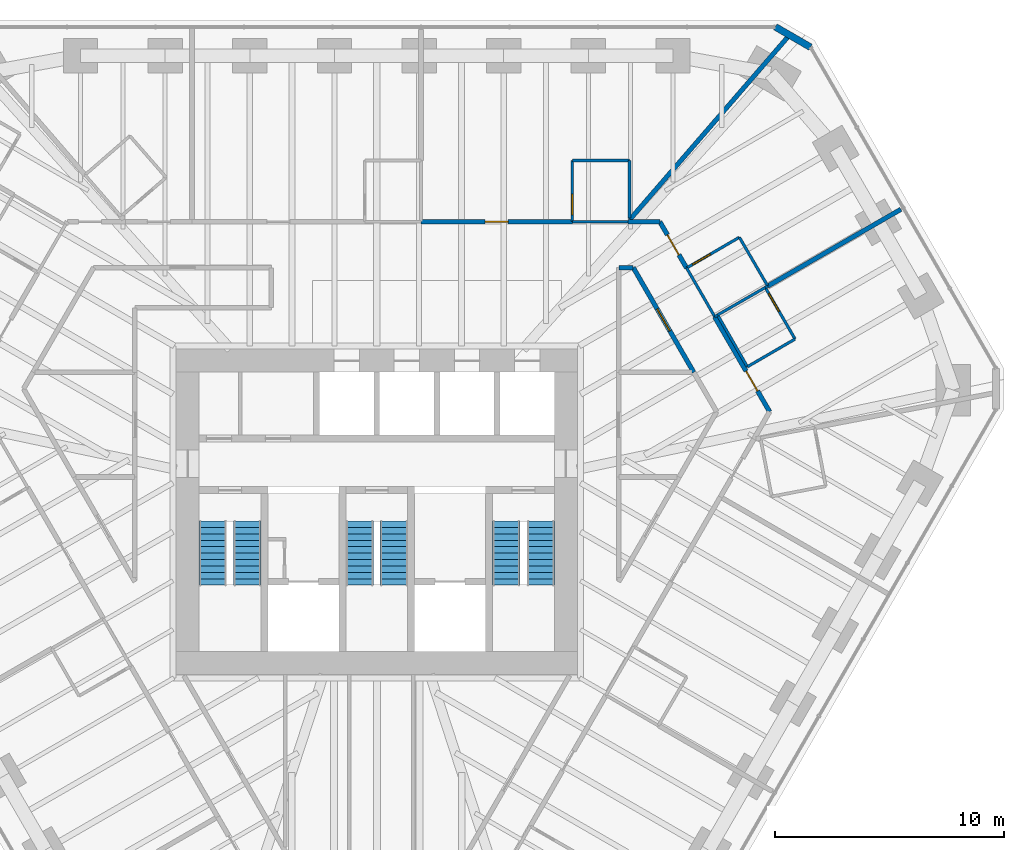
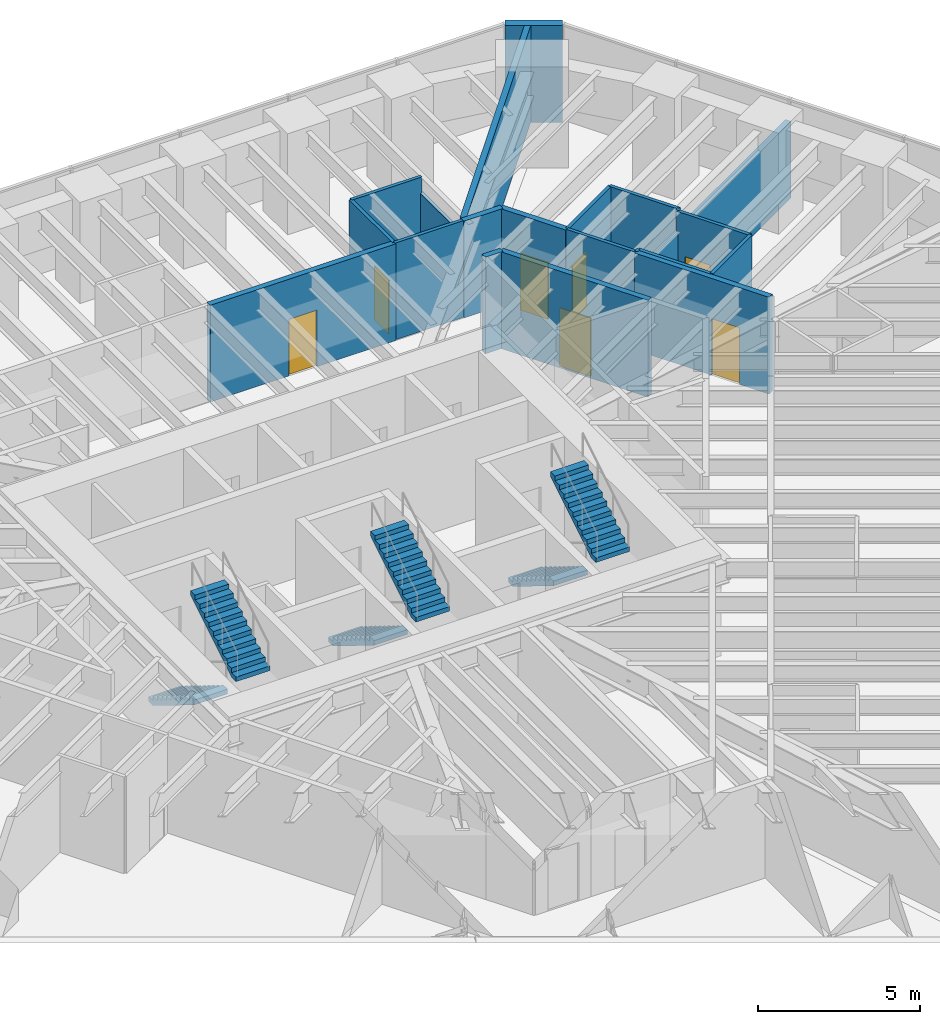
# One storey, part 15 of 16: 22 walls, 7 doors, 6 stair flights, 7 openings, 3 elements without a shape of their own.
"""IFC4 building model written with IfcOpenShell, lengths in metres."""

import ifcopenshell
import ifcopenshell.guid

model = None  # the IFC model being written
_history = None  # IfcOwnerHistory: only IFC2X3 demands one
_inside = {}  # id of a spatial element -> (the spatial element, [elements in it])
_under = {}  # id of a project, library or spatial element -> (it, [spatial elements below it])
_declared = {}  # id of a project -> (the project, [libraries it declares])
_typed = {}  # id of a type object -> (the type object, [elements of that type])
_made_of = {}  # id of a material, layer set ... -> (it, [elements and type objects made of it])


def new_model(schema):
    """Start an empty IFC model of exactly this schema.

    Asked for "IFC4X3", IfcOpenShell would pick the latest addendum, in which some entities
    have other attributes; the version numbers below select the first issue.
    IFC2X3 requires an IfcOwnerHistory on every rooted entity: one is made here for all.
    """
    global model, _history
    if schema == "IFC4X3":
        model = ifcopenshell.file(schema_version=(4, 3, 0, 0))
    else:
        model = ifcopenshell.file(schema=schema)
    _inside.clear()
    _under.clear()
    _declared.clear()
    _typed.clear()
    _made_of.clear()
    _history = None
    if model.schema == "IFC2X3":
        org = make("IfcOrganization", Name="unknown")
        user = make(
            "IfcPersonAndOrganization",
            ThePerson=make("IfcPerson", FamilyName="unknown"),
            TheOrganization=org,
        )
        app = make(
            "IfcApplication",
            ApplicationDeveloper=org,
            Version="unknown",
            ApplicationFullName="unknown",
            ApplicationIdentifier="unknown",
        )
        _history = make(
            "IfcOwnerHistory",
            OwningUser=user,
            OwningApplication=app,
            ChangeAction="ADDED",
            CreationDate=0,
        )
    return model


def make(cls, **values):
    """One entity of the class cls with the attributes given. An attribute that is None is left unset."""
    return model.create_entity(
        cls, **{name: value for name, value in values.items() if value is not None}
    )


def rooted(cls, **values):
    """An entity with a GlobalId (a new one), such as an element, a storey or a relation."""
    return make(cls, GlobalId=ifcopenshell.guid.new(), OwnerHistory=_history, **values)


def si_unit(unit_type, name, prefix=None):
    """IfcSIUnit, for example si_unit("LENGTHUNIT", "METRE", prefix="MILLI")."""
    return make("IfcSIUnit", UnitType=unit_type, Prefix=prefix, Name=name)


def assignment(units):
    """IfcUnitAssignment: the units of a project."""
    return None if units is None else make("IfcUnitAssignment", Units=units)


def point(xyz):
    """IfcCartesianPoint."""
    return None if xyz is None else make("IfcCartesianPoint", Coordinates=xyz)


def direction(xyz):
    """IfcDirection."""
    return None if xyz is None else make("IfcDirection", DirectionRatios=xyz)


def frame(location, z_axis=None, x_axis=None):
    """IfcAxis2Placement3D, a coordinate frame: its origin and axes. An axis left out is left unset."""
    return make(
        "IfcAxis2Placement3D",
        Location=point(location),
        Axis=direction(z_axis),
        RefDirection=direction(x_axis),
    )


def frame_2d(location, x_axis=None):
    """IfcAxis2Placement2D, a coordinate frame in the plane: its origin and x axis."""
    return make(
        "IfcAxis2Placement2D", Location=point(location), RefDirection=direction(x_axis)
    )


def origin():
    """The frame at (0, 0, 0) with its axes left unset."""
    return frame((0.0, 0.0, 0.0))


def place(relative_to, where):
    """IfcLocalPlacement: puts the frame where relative to a parent placement (None: the world)."""
    return make(
        "IfcLocalPlacement", PlacementRelTo=relative_to, RelativePlacement=where
    )


def context(
    kind, dimensions, precision=None, world=None, true_north=None, identifier=None
):
    """IfcGeometricRepresentationContext, for example the 3D "Model" context."""
    return make(
        "IfcGeometricRepresentationContext",
        ContextIdentifier=identifier,
        ContextType=kind,
        CoordinateSpaceDimension=dimensions,
        Precision=precision,
        WorldCoordinateSystem=world,
        TrueNorth=true_north,
    )


def subcontext(parent, identifier, kind, view, scale=None):
    """IfcGeometricRepresentationSubContext, for example "Body" below "Model"."""
    return make(
        "IfcGeometricRepresentationSubContext",
        ContextIdentifier=identifier,
        ContextType=kind,
        ParentContext=parent,
        TargetScale=scale,
        TargetView=view,
    )


def project(units=None, contexts=None):
    """IfcProject with its units and contexts."""
    return rooted(
        "IfcProject",
        Name="project",
        RepresentationContexts=contexts,
        UnitsInContext=assignment(units),
    )


def spatial(cls, under=None, at=None, **own):
    """A site, building, storey or space (cls), placed at a placement, below another one or the project."""
    s = rooted(cls, ObjectPlacement=at, **own)
    if under is not None:
        _under.setdefault(under.id(), (under, []))[1].append(s)
    return s


def polyline(points):
    """IfcPolyline through the points."""
    return make("IfcPolyline", Points=[point(p) for p in points])


def profile(cls, at=None, kind="AREA", **sizes):
    """A parametric profile (cls). Its sizes go by their IFC names, for example OverallWidth=200.0."""
    return make(cls, ProfileType=kind, Position=at, **sizes)


def rectangle(**sizes):
    """IfcRectangleProfileDef."""
    return profile("IfcRectangleProfileDef", **sizes)


def outline(outer, holes=None, kind="AREA"):
    """IfcArbitraryClosedProfileDef: a profile drawn as a closed curve; with holes, ...WithVoids."""
    if holes is None:
        return make("IfcArbitraryClosedProfileDef", ProfileType=kind, OuterCurve=outer)
    return make(
        "IfcArbitraryProfileDefWithVoids",
        ProfileType=kind,
        OuterCurve=outer,
        InnerCurves=holes,
    )


def extrude(swept, where, along, depth):
    """IfcExtrudedAreaSolid: the profile swept, set in the frame where, extruded along a direction by depth."""
    return make(
        "IfcExtrudedAreaSolid",
        SweptArea=swept,
        Position=where,
        ExtrudedDirection=direction(along),
        Depth=depth,
    )


def shape(context_of_items, identifier, shape_type, items):
    """IfcShapeRepresentation: the items that make up one representation, for example the "Body"."""
    return make(
        "IfcShapeRepresentation",
        ContextOfItems=context_of_items,
        RepresentationIdentifier=identifier,
        RepresentationType=shape_type,
        Items=items,
    )


def material(Name=None, Category=None):
    """IfcMaterial."""
    return make("IfcMaterial", Name=Name, Category=Category)


def layer(
    of_material, thickness, ventilated=None, Name=None, Category=None, Priority=None
):
    """IfcMaterialLayer: one layer of a wall or slab, of a material (None: an air gap)."""
    return make(
        "IfcMaterialLayer",
        Material=of_material,
        LayerThickness=thickness,
        IsVentilated=ventilated,
        Name=Name,
        Category=Category,
        Priority=Priority,
    )


def layer_set(layers, Name=None):
    """IfcMaterialLayerSet."""
    return make("IfcMaterialLayerSet", MaterialLayers=layers, LayerSetName=Name)


def made_of(thing, what):
    """Note that an element or type object is made of a material, layer set ...; save() writes the relation."""
    if what is not None:
        _made_of.setdefault(what.id(), (what, []))[1].append(thing)
    return thing


def type_object(cls, material=None, **own):
    """A type object (cls), such as IfcWallType, which elements share."""
    return made_of(rooted(cls, **own), material)


def element(
    cls,
    number,
    at=None,
    inside=None,
    cuts=None,
    type_object=None,
    material=None,
    context=None,
    identifier="Body",
    shape_type=None,
    held_by="IfcProductDefinitionShape",
    body=None,
    shapes=None,
    **own,
):
    """One element of the class cls, such as IfcWall. Its Tag is "e" and its number.

    at: its placement. inside: the storey or other place that contains it. cuts: it is an
    opening in that element (IfcRelVoidsElement). A single representation is given by context,
    identifier, shape_type and body (its items); several are given by shapes. held_by: the class
    of the entity that holds the representations. save() writes the other relations.
    """
    e = rooted(cls, Tag="e%d" % number, ObjectPlacement=at, **own)
    if body is not None:
        shapes = [shape(context, identifier, shape_type, body)]
    if shapes is not None:
        e.Representation = make(held_by, Representations=shapes)
    if inside is not None:
        _inside.setdefault(inside.id(), (inside, []))[1].append(e)
    if cuts is not None:
        rooted(
            "IfcRelVoidsElement", RelatingBuildingElement=cuts, RelatedOpeningElement=e
        )
    if type_object is not None:
        _typed.setdefault(type_object.id(), (type_object, []))[1].append(e)
    return made_of(e, material)


def fill(opening, filler):
    """IfcRelFillsElement: the door or window that sits in an opening."""
    return rooted(
        "IfcRelFillsElement",
        RelatingOpeningElement=opening,
        RelatedBuildingElement=filler,
    )


def aggregate(whole, parts):
    """IfcRelAggregates: a whole, such as a stair, and the parts it consists of."""
    return rooted("IfcRelAggregates", RelatingObject=whole, RelatedObjects=parts)


def save(model, path):
    """Write the relations noted so far, then the file.

    IfcRelAggregates (storeys below a building ...), IfcRelContainedInSpatialStructure (elements
    in a storey), IfcRelDefinesByType, IfcRelAssociatesMaterial and IfcRelDeclares: one each for
    every whole, place, type object, material and project.
    """
    for whole, parts in _under.values():
        aggregate(whole, parts)
    for where, things in _inside.values():
        rooted(
            "IfcRelContainedInSpatialStructure",
            RelatedElements=things,
            RelatingStructure=where,
        )
    for kind, things in _typed.values():
        rooted("IfcRelDefinesByType", RelatedObjects=things, RelatingType=kind)
    for what, things in _made_of.values():
        rooted("IfcRelAssociatesMaterial", RelatedObjects=things, RelatingMaterial=what)
    for by, libraries in _declared.values():
        rooted("IfcRelDeclares", RelatingContext=by, RelatedDefinitions=libraries)
    model.write(path)


model = new_model("IFC4")

# Units and contexts
model_context = context("Model", 3, precision=1e-05, world=origin(), true_north=direction((0.0, 1.0)))
body_context = subcontext(model_context, "Body", "Model", "MODEL_VIEW")
ifc_project = project(units=[si_unit("LENGTHUNIT", "METRE"), si_unit("AREAUNIT", "SQUARE_METRE"), si_unit("VOLUMEUNIT", "CUBIC_METRE"), si_unit("PLANEANGLEUNIT", "RADIAN"), si_unit("MASSUNIT", "GRAM", prefix="KILO")], contexts=[model_context])

# Site, building, storey
site_placement = place(None, origin())
site = spatial("IfcSite", under=ifc_project, at=site_placement, CompositionType="ELEMENT")
building_placement = place(site_placement, origin())
building = spatial("IfcBuilding", under=site, at=building_placement, Name="Sandreach Pilgrim Tower", CompositionType="ELEMENT")
storey_placement = place(building_placement, frame((0.0, 0.0, 202.199951171875)))
storey = spatial("IfcBuildingStorey", under=building, at=storey_placement, Name="L50", CompositionType="ELEMENT", Elevation=202.199951171875)

# Wall, opening, door
ifc_material_1 = material(Name="Moisture-resistant gypsum board on steel studs", Category="steel")
ifc_layer_1 = layer(ifc_material_1, 0.1201171875)
ifc_layer_set_1 = layer_set([ifc_layer_1], Name="Bathroom partition 120")
wall_type_1 = type_object("IfcWallType", Name="Bathroom partition 120", PredefinedType="PARTITIONING", material=ifc_layer_set_1)
wall_1_placement = place(storey_placement, frame((8.530029296875, 15.330078125, 0.0), z_axis=(0.0, 0.0, 1.0), x_axis=(0.0, -1.0, 0.0)))
wall_1 = element("IfcWall", 1, at=wall_1_placement, inside=storey, type_object=wall_type_1, Name="Bathroom partition L50-104", PredefinedType="PARTITIONING", context=body_context, shape_type="SweptSolid", body=[
    extrude(rectangle(XDim=2.670166015625, YDim=0.1201171875, at=frame_2d((1.3349609375, 0.0))), origin(), (0.0, 0.0, 1.0), 3.64013671875),
])
opening_1_placement = place(wall_1_placement, frame((1.469970703125, 0.0, 0.0)))
opening_1 = element("IfcOpeningElement", 2, at=opening_1_placement, cuts=wall_1, Name="Opening D09-03B", PredefinedType="OPENING", context=body_context, shape_type="SweptSolid", body=[
    extrude(rectangle(XDim=0.89990234375, YDim=2.030029296875, at=frame_2d((0.449951171875, 1.01513671875))), frame((0.0, 0.06005859375, 0.0), z_axis=(0.0, -1.0, 0.0), x_axis=(1.0, 0.0, 0.0)), (0.0, 0.0, 1.0), 0.1201171875),
])
ifc_material_2 = material(Name="Timber door, steel frame", Category="steel")
door_type_1 = type_object("IfcDoorType", Name="Bathroom door", OperationType="SINGLE_SWING_LEFT", PredefinedType="DOOR", material=ifc_material_2)
door_1_placement = place(opening_1_placement, origin())
door_1 = element("IfcDoor", 3, at=door_1_placement, inside=storey, type_object=door_type_1, Name="Door 5003B", OperationType="SINGLE_SWING_RIGHT", OverallHeight=2.030029296875, OverallWidth=0.89990234375, PredefinedType="DOOR", context=body_context, shape_type="SweptSolid", body=[
    extrude(rectangle(XDim=0.89990234375, YDim=2.030029296875, at=frame_2d((0.449951171875, 1.01513671875))), frame((0.0, 0.02490234375, 0.0), z_axis=(0.0, -1.0, 0.0), x_axis=(1.0, 0.0, 0.0)), (0.0, 0.0, 1.0), 0.050048828125),
])
fill(opening_1, door_1)

# Walls
wall_2_placement = place(storey_placement, frame((10.9599609375, 12.659912109375, 0.0), z_axis=(0.0, 0.0, 1.0), x_axis=(-1.0, 0.0, 0.0)))
element("IfcWall", 4, at=wall_2_placement, inside=storey, type_object=wall_type_1, Name="Bathroom partition L50-112", PredefinedType="PARTITIONING", context=body_context, shape_type="SweptSolid", body=[
    extrude(rectangle(XDim=2.429931640625, YDim=0.1201171875, at=frame_2d((1.21484375, 0.0))), origin(), (0.0, 0.0, 1.0), 3.64013671875),
])
wall_3_placement = place(storey_placement, frame((11.030029296875, 12.830078125, 0.0), z_axis=(0.0, 0.0, 1.0), x_axis=(0.0, 1.0, 0.0)))
element("IfcWall", 5, at=wall_3_placement, inside=storey, type_object=wall_type_1, Name="Bathroom partition L50-113", PredefinedType="PARTITIONING", context=body_context, shape_type="SweptSolid", body=[
    extrude(rectangle(XDim=2.5, YDim=0.1201171875, at=frame_2d((1.25, 0.0))), origin(), (0.0, 0.0, 1.0), 3.0380859375),
])
wall_4_placement = place(storey_placement, frame((11.030029296875, 15.330078125, 0.0), z_axis=(0.0, 0.0, 1.0), x_axis=(-1.0, 0.0, 0.0)))
element("IfcWall", 6, at=wall_4_placement, inside=storey, type_object=wall_type_1, Name="Bathroom partition L50-114", PredefinedType="PARTITIONING", context=body_context, shape_type="SweptSolid", body=[
    extrude(rectangle(XDim=2.5, YDim=0.1201171875, at=frame_2d((1.25, 0.0))), origin(), (0.0, 0.0, 1.0), 3.64013671875),
])
wall_5_placement = place(storey_placement, frame((13.52001953125, 10.64013671875, 0.0), z_axis=(0.0, 0.0, 1.0), x_axis=(0.500046071023, -0.865998803033, 0.0)))
element("IfcWall", 7, at=wall_5_placement, inside=storey, type_object=wall_type_1, Name="Bathroom partition L50-125", PredefinedType="PARTITIONING", context=body_context, shape_type="SweptSolid", body=[
    extrude(rectangle(XDim=2.459716796875, YDim=0.1201171875, at=frame_2d((1.22998046875, 0.0))), origin(), (0.0, 0.0, 1.0), 3.64013671875),
])
wall_6_placement = place(storey_placement, frame((14.75, 8.510009765625, 0.0), z_axis=(0.0, 0.0, 1.0), x_axis=(0.831528837533, 0.555481585969, 0.0)))
element("IfcWall", 8, at=wall_6_placement, inside=storey, type_object=wall_type_1, Name="Bathroom partition L50-128", PredefinedType="PARTITIONING", context=body_context, shape_type="SweptSolid", body=[
    extrude(rectangle(XDim=0.14404296875, YDim=0.1201171875, at=frame_2d((0.072021484375, 0.0))), origin(), (0.0, 0.0, 1.0), 3.64013671875),
])
wall_7_placement = place(storey_placement, frame((14.8701171875, 8.590087890625, 0.0), z_axis=(0.0, 0.0, 1.0), x_axis=(0.498557331759, -0.866856728041, 0.0)))
element("IfcWall", 9, at=wall_7_placement, inside=storey, type_object=wall_type_1, Name="Bathroom partition L50-130", PredefinedType="PARTITIONING", context=body_context, shape_type="SweptSolid", body=[
    extrude(rectangle(XDim=2.607177734375, YDim=0.1201171875, at=frame_2d((1.3037109375, 0.0))), origin(), (0.0, 0.0, 1.0), 3.64013671875),
])
wall_8_placement = place(storey_placement, frame((14.8701171875, 8.590087890625, 0.0), z_axis=(0.0, 0.0, 1.0), x_axis=(0.866177122335, 0.499737123639, 0.0)))
element("IfcWall", 10, at=wall_8_placement, inside=storey, type_object=wall_type_1, Name="Bathroom partition L50-131", PredefinedType="PARTITIONING", context=body_context, shape_type="SweptSolid", body=[
    extrude(rectangle(XDim=2.401123046875, YDim=0.1201171875, at=frame_2d((1.20068359375, 0.0))), origin(), (0.0, 0.0, 1.0), 2.8779296875),
])

# Wall, opening, door
wall_9_placement = place(storey_placement, frame((15.820068359375, 11.97998046875, 0.0), z_axis=(0.0, 0.0, 1.0), x_axis=(-0.864041571379, -0.503420463359, 0.0)))
wall_9 = element("IfcWall", 11, at=wall_9_placement, inside=storey, type_object=wall_type_1, Name="Bathroom partition L50-133", PredefinedType="PARTITIONING", context=body_context, shape_type="SweptSolid", body=[
    extrude(rectangle(XDim=2.661865234375, YDim=0.1201171875, at=frame_2d((1.3310546875, 0.0))), origin(), (0.0, 0.0, 1.0), 3.64013671875),
])
opening_2_placement = place(wall_9_placement, frame((1.4619140625, 0.0, 0.0)))
opening_2 = element("IfcOpeningElement", 12, at=opening_2_placement, cuts=wall_9, Name="Opening D09-04B", PredefinedType="OPENING", context=body_context, shape_type="SweptSolid", body=[
    extrude(rectangle(XDim=0.89990234375, YDim=2.030029296875, at=frame_2d((0.449951171875, 1.01513671875))), frame((0.0, 0.06005859375, 0.0), z_axis=(0.0, -1.0, 0.0), x_axis=(1.0, 0.0, 0.0)), (0.0, 0.0, 1.0), 0.1201171875),
])
door_2_placement = place(opening_2_placement, origin())
door_2 = element("IfcDoor", 13, at=door_2_placement, inside=storey, type_object=door_type_1, Name="Door 5004B", OperationType="SINGLE_SWING_RIGHT", OverallHeight=2.030029296875, OverallWidth=0.89990234375, PredefinedType="DOOR", context=body_context, shape_type="SweptSolid", body=[
    extrude(rectangle(XDim=0.89990234375, YDim=2.030029296875, at=frame_2d((0.449951171875, 1.01513671875))), frame((0.0, 0.02490234375, 0.0), z_axis=(0.0, -1.0, 0.0), x_axis=(1.0, 0.0, 0.0)), (0.0, 0.0, 1.0), 0.050048828125),
])
fill(opening_2, door_2)

# Walls
wall_10_placement = place(storey_placement, frame((16.169921875, 6.330078125, 0.0), z_axis=(0.0, 0.0, 1.0), x_axis=(0.864396442809, 0.502810888564, 0.0)))
element("IfcWall", 14, at=wall_10_placement, inside=storey, type_object=wall_type_1, Name="Bathroom partition L50-134", PredefinedType="PARTITIONING", context=body_context, shape_type="SweptSolid", body=[
    extrude(rectangle(XDim=2.406494140625, YDim=0.1201171875, at=frame_2d((1.203125, 0.0))), origin(), (0.0, 0.0, 1.0), 3.64013671875),
])
wall_11_placement = place(storey_placement, frame((16.949951171875, 9.7900390625, 0.0), z_axis=(0.0, 0.0, 1.0), x_axis=(0.877895572914, 0.478852130681, 0.0)))
element("IfcWall", 15, at=wall_11_placement, inside=storey, type_object=wall_type_1, Name="Bathroom partition L50-139", PredefinedType="PARTITIONING", context=body_context, shape_type="SweptSolid", body=[
    extrude(rectangle(XDim=0.12548828125, YDim=0.1201171875, at=frame_2d((0.062744140625, 0.0))), origin(), (0.0, 0.0, 1.0), 3.64013671875),
])
wall_12_placement = place(storey_placement, frame((17.06005859375, 9.85009765625, 0.0), z_axis=(0.0, 0.0, 1.0), x_axis=(-0.503131731744, 0.864209731785, 0.0)))
element("IfcWall", 16, at=wall_12_placement, inside=storey, type_object=wall_type_1, Name="Bathroom partition L50-140", PredefinedType="PARTITIONING", context=body_context, shape_type="SweptSolid", body=[
    extrude(rectangle(XDim=2.464599609375, YDim=0.1201171875, at=frame_2d((1.232421875, 0.0))), origin(), (0.0, 0.0, 1.0), 3.64013671875),
])

# Wall, opening, door
wall_13_placement = place(storey_placement, frame((18.25, 7.5400390625, 0.0), z_axis=(0.0, 0.0, 1.0), x_axis=(-0.500291685314, 0.865856933682, 0.0)))
wall_13 = element("IfcWall", 17, at=wall_13_placement, inside=storey, type_object=wall_type_1, Name="Bathroom partition L50-144", PredefinedType="PARTITIONING", context=body_context, shape_type="SweptSolid", body=[
    extrude(rectangle(XDim=2.5986328125, YDim=0.1201171875, at=frame_2d((1.29931640625, 0.0))), origin(), (0.0, 0.0, 1.0), 3.64013671875),
])
opening_3_placement = place(wall_13_placement, frame((1.398681640625, 0.0, 0.0)))
opening_3 = element("IfcOpeningElement", 18, at=opening_3_placement, cuts=wall_13, Name="Opening D09-05B", PredefinedType="OPENING", context=body_context, shape_type="SweptSolid", body=[
    extrude(rectangle(XDim=0.89990234375, YDim=2.030029296875, at=frame_2d((0.449951171875, 1.01513671875))), frame((0.0, 0.06005859375, 0.0), z_axis=(0.0, -1.0, 0.0), x_axis=(1.0, 0.0, 0.0)), (0.0, 0.0, 1.0), 0.1201171875),
])
door_3_placement = place(opening_3_placement, origin())
door_3 = element("IfcDoor", 19, at=door_3_placement, inside=storey, type_object=door_type_1, Name="Door 5005B", OperationType="SINGLE_SWING_RIGHT", OverallHeight=2.030029296875, OverallWidth=0.89990234375, PredefinedType="DOOR", context=body_context, shape_type="SweptSolid", body=[
    extrude(rectangle(XDim=0.89990234375, YDim=2.030029296875, at=frame_2d((0.449951171875, 1.01513671875))), frame((0.0, 0.02490234375, 0.0), z_axis=(0.0, -1.0, 0.0), x_axis=(1.0, 0.0, 0.0)), (0.0, 0.0, 1.0), 0.050048828125),
])
fill(opening_3, door_3)

ifc_material_3 = material(Name="Gypsum board on steel studs, two layers each side", Category="steel")
ifc_layer_2 = layer(ifc_material_3, 0.199951171875)
ifc_layer_set_2 = layer_set([ifc_layer_2], Name="Corridor wall 200")
wall_type_2 = type_object("IfcWallType", Name="Corridor wall 200", PredefinedType="PARTITIONING", material=ifc_layer_set_2)
wall_14_placement = place(storey_placement, frame((8.530029296875, 12.659912109375, 0.0), z_axis=(0.0, 0.0, 1.0), x_axis=(-1.0, 0.0, 0.0)))
wall_14 = element("IfcWall", 20, at=wall_14_placement, inside=storey, type_object=wall_type_2, Name="Corridor wall L50-103", PredefinedType="PARTITIONING", context=body_context, shape_type="SweptSolid", body=[
    extrude(rectangle(XDim=6.60009765625, YDim=0.199951171875, at=frame_2d((3.300048828125, 0.0))), origin(), (0.0, 0.0, 1.0), 3.64013671875),
])
opening_4_placement = place(wall_14_placement, frame((2.800048828125, 0.0, 0.0)))
opening_4 = element("IfcOpeningElement", 21, at=opening_4_placement, cuts=wall_14, Name="Opening D10-03", PredefinedType="OPENING", context=body_context, shape_type="SweptSolid", body=[
    extrude(rectangle(XDim=1.0, YDim=2.1298828125, at=frame_2d((0.5, 1.06494140625))), frame((0.0, 0.10009765625, 0.0), z_axis=(0.0, -1.0, 0.0), x_axis=(1.0, 0.0, 0.0)), (0.0, 0.0, 1.0), 0.199951171875),
])
ifc_material_4 = material(Name="Steel door and frame", Category="steel")
door_type_2 = type_object("IfcDoorType", Name="Guest room entry door", OperationType="SINGLE_SWING_LEFT", PredefinedType="DOOR", material=ifc_material_4)
door_4_placement = place(opening_4_placement, origin())
door_4 = element("IfcDoor", 22, at=door_4_placement, inside=storey, type_object=door_type_2, Name="Door 5003", OperationType="SINGLE_SWING_LEFT", OverallHeight=2.1298828125, OverallWidth=1.0, PredefinedType="DOOR", context=body_context, shape_type="SweptSolid", body=[
    extrude(rectangle(XDim=1.0, YDim=2.1298828125, at=frame_2d((0.5, 1.06494140625))), frame((0.0, 0.02490234375, 0.0), z_axis=(0.0, -1.0, 0.0), x_axis=(1.0, 0.0, 0.0)), (0.0, 0.0, 1.0), 0.050048828125),
])
fill(opening_4, door_4)

# Wall
wall_15_placement = place(storey_placement, frame((10.56005859375, 10.659912109375, 0.0), z_axis=(0.0, 0.0, 1.0), x_axis=(1.0, 0.0, 0.0)))
element("IfcWall", 23, at=wall_15_placement, inside=storey, type_object=wall_type_2, Name="Corridor wall L50-111", PredefinedType="PARTITIONING", context=body_context, shape_type="SweptSolid", body=[
    extrude(rectangle(XDim=0.6298828125, YDim=0.199951171875, at=frame_2d((0.31494140625, 0.0))), origin(), (0.0, 0.0, 1.0), 3.64013671875),
])

# Wall, opening, door
wall_16_placement = place(storey_placement, frame((11.18994140625, 10.659912109375, 0.0), z_axis=(0.0, 0.0, 1.0), x_axis=(0.500248310865, -0.865881993967, 0.0)))
wall_16 = element("IfcWall", 24, at=wall_16_placement, inside=storey, type_object=wall_type_2, Name="Corridor wall L50-116", PredefinedType="PARTITIONING", context=body_context, shape_type="SweptSolid", body=[
    extrude(rectangle(XDim=5.277587890625, YDim=0.199951171875, at=frame_2d((2.638671875, 0.0))), origin(), (0.0, 0.0, 1.0), 3.64013671875),
])
opening_5_placement = place(wall_16_placement, frame((2.0888671875, 0.0, 0.0)))
opening_5 = element("IfcOpeningElement", 25, at=opening_5_placement, cuts=wall_16, Name="Opening D11H-M05", PredefinedType="OPENING", context=body_context, shape_type="SweptSolid", body=[
    extrude(rectangle(XDim=1.10009765625, YDim=2.199951171875, at=frame_2d((0.550048828125, 1.10009765625))), frame((0.0, 0.10009765625, 0.0), z_axis=(0.0, -1.0, 0.0), x_axis=(1.0, 0.0, 0.0)), (0.0, 0.0, 1.0), 0.199951171875),
])
ifc_material_5 = material(Name="Steel door and frame", Category="steel")
door_type_3 = type_object("IfcDoorType", Name="Back of house door", OperationType="SINGLE_SWING_LEFT", PredefinedType="DOOR", material=ifc_material_5)
door_5_placement = place(opening_5_placement, origin())
door_5 = element("IfcDoor", 26, at=door_5_placement, inside=storey, type_object=door_type_3, Name="Door 50M05", OperationType="SINGLE_SWING_LEFT", OverallHeight=2.199951171875, OverallWidth=1.10009765625, PredefinedType="DOOR", context=body_context, shape_type="SweptSolid", body=[
    extrude(rectangle(XDim=1.10009765625, YDim=2.199951171875, at=frame_2d((0.550048828125, 1.10009765625))), frame((0.0, 0.02490234375, 0.0), z_axis=(0.0, -1.0, 0.0), x_axis=(1.0, 0.0, 0.0)), (0.0, 0.0, 1.0), 0.050048828125),
])
fill(opening_5, door_5)

# Wall
wall_17_placement = place(storey_placement, frame((12.35009765625, 12.659912109375, 0.0), z_axis=(0.0, 0.0, 1.0), x_axis=(-1.0, 0.0, 0.0)))
element("IfcWall", 27, at=wall_17_placement, inside=storey, type_object=wall_type_2, Name="Corridor wall L50-121", PredefinedType="PARTITIONING", context=body_context, shape_type="SweptSolid", body=[
    extrude(rectangle(XDim=1.39013671875, YDim=0.199951171875, at=frame_2d((0.695068359375, 0.0))), origin(), (0.0, 0.0, 1.0), 3.64013671875),
])

# Wall, opening, door
wall_18_placement = place(storey_placement, frame((12.35009765625, 12.659912109375, 0.0), z_axis=(0.0, 0.0, 1.0), x_axis=(0.500120771724, -0.865955664968, 0.0)))
wall_18 = element("IfcWall", 28, at=wall_18_placement, inside=storey, type_object=wall_type_2, Name="Corridor wall L50-122", PredefinedType="PARTITIONING", context=body_context, shape_type="SweptSolid", body=[
    extrude(rectangle(XDim=2.33447265625, YDim=0.199951171875, at=frame_2d((1.167236328125, 0.0))), origin(), (0.0, 0.0, 1.0), 3.64013671875),
])
opening_6_placement = place(wall_18_placement, frame((0.667236328125, 0.0, 0.0)))
opening_6 = element("IfcOpeningElement", 29, at=opening_6_placement, cuts=wall_18, Name="Opening D10-04", PredefinedType="OPENING", context=body_context, shape_type="SweptSolid", body=[
    extrude(rectangle(XDim=1.0, YDim=2.1298828125, at=frame_2d((0.5, 1.06494140625))), frame((0.0, 0.10009765625, 0.0), z_axis=(0.0, -1.0, 0.0), x_axis=(1.0, 0.0, 0.0)), (0.0, 0.0, 1.0), 0.199951171875),
])
door_6_placement = place(opening_6_placement, origin())
door_6 = element("IfcDoor", 30, at=door_6_placement, inside=storey, type_object=door_type_2, Name="Door 5004", OperationType="SINGLE_SWING_LEFT", OverallHeight=2.1298828125, OverallWidth=1.0, PredefinedType="DOOR", context=body_context, shape_type="SweptSolid", body=[
    extrude(rectangle(XDim=1.0, YDim=2.1298828125, at=frame_2d((0.5, 1.06494140625))), frame((0.0, 0.02490234375, 0.0), z_axis=(0.0, -1.0, 0.0), x_axis=(1.0, 0.0, 0.0)), (0.0, 0.0, 1.0), 0.050048828125),
])
fill(opening_6, door_6)

wall_19_placement = place(storey_placement, frame((17.139892578125, 4.3701171875, 0.0), z_axis=(0.0, 0.0, 1.0), x_axis=(-0.501524901322, 0.865143209737, 0.0)))
wall_19 = element("IfcWall", 31, at=wall_19_placement, inside=storey, type_object=wall_type_2, Name="Corridor wall L50-142", PredefinedType="PARTITIONING", context=body_context, shape_type="SweptSolid", body=[
    extrude(rectangle(XDim=4.78515625, YDim=0.199951171875, at=frame_2d((2.392578125, 0.0))), origin(), (0.0, 0.0, 1.0), 3.64013671875),
])
opening_7_placement = place(wall_19_placement, frame((1.050048828125, 0.0, 0.0)))
opening_7 = element("IfcOpeningElement", 32, at=opening_7_placement, cuts=wall_19, Name="Opening D10-05", PredefinedType="OPENING", context=body_context, shape_type="SweptSolid", body=[
    extrude(rectangle(XDim=1.0, YDim=2.1298828125, at=frame_2d((0.5, 1.06494140625))), frame((0.0, 0.10009765625, 0.0), z_axis=(0.0, -1.0, 0.0), x_axis=(1.0, 0.0, 0.0)), (0.0, 0.0, 1.0), 0.199951171875),
])
door_7_placement = place(opening_7_placement, origin())
door_7 = element("IfcDoor", 33, at=door_7_placement, inside=storey, type_object=door_type_2, Name="Door 5005", OperationType="SINGLE_SWING_LEFT", OverallHeight=2.1298828125, OverallWidth=1.0, PredefinedType="DOOR", context=body_context, shape_type="SweptSolid", body=[
    extrude(rectangle(XDim=1.0, YDim=2.1298828125, at=frame_2d((0.5, 1.06494140625))), frame((0.0, 0.02490234375, 0.0), z_axis=(0.0, -1.0, 0.0), x_axis=(1.0, 0.0, 0.0)), (0.0, 0.0, 1.0), 0.050048828125),
])
fill(opening_7, door_7)

# Walls
ifc_material_6 = material(Name="Double steel stud acoustic wall, gypsum board", Category="steel")
ifc_layer_3 = layer(ifc_material_6, 0.199951171875)
ifc_layer_set_3 = layer_set([ifc_layer_3], Name="Party wall 200")
wall_type_3 = type_object("IfcWallType", Name="Party wall 200", PredefinedType="PARTITIONING", material=ifc_layer_set_3)
wall_20_placement = place(storey_placement, frame((11.039794921875, 12.751220703125, 0.0), z_axis=(0.0, 0.0, 1.0), x_axis=(0.654384042683, 0.756162366613, 0.0)))
element("IfcWall", 34, at=wall_20_placement, inside=storey, type_object=wall_type_3, Name="Party wall L50-115", PredefinedType="PARTITIONING", context=body_context, shape_type="SweptSolid", body=[
    extrude(rectangle(XDim=10.667236328125, YDim=0.199951171875, at=frame_2d((5.33349609375, 0.0))), origin(), (0.0, 0.0, 1.0), 3.64013671875),
])
wall_21_placement = place(storey_placement, frame((17.06005859375, 9.85009765625, 0.0), z_axis=(0.0, 0.0, 1.0), x_axis=(0.866166787958, 0.499755035431, 0.0)))
element("IfcWall", 35, at=wall_21_placement, inside=storey, type_object=wall_type_3, Name="Party wall L50-141", PredefinedType="PARTITIONING", context=body_context, shape_type="SweptSolid", body=[
    extrude(rectangle(XDim=6.702880859375, YDim=0.199951171875, at=frame_2d((3.3515625, 0.0))), origin(), (0.0, 0.0, 1.0), 2.8779296875),
])
ifc_material_7 = material(Name="Terracotta rainscreen on concrete", Category="masonry")
ifc_layer_4 = layer(ifc_material_7, 0.300048828125)
ifc_layer_set_4 = layer_set([ifc_layer_4], Name="Terracotta chamfer pier")
wall_type_4 = type_object("IfcWallType", Name="Terracotta chamfer pier", PredefinedType="SOLIDWALL", material=ifc_layer_set_4)
wall_22_placement = place(storey_placement, frame((17.389892578125, 21.16015625, 0.0), z_axis=(0.0, 0.0, 1.0), x_axis=(0.866036293601, -0.499981137809, 0.0)))
element("IfcWall", 36, at=wall_22_placement, inside=storey, type_object=wall_type_4, Name="Chamfer pier L50 N", PredefinedType="SOLIDWALL", context=body_context, shape_type="SweptSolid", body=[
    extrude(rectangle(XDim=1.77001953125, YDim=0.300048828125, at=frame_2d((0.885009765625, 0.0))), origin(), (0.0, 0.0, 1.0), 3.64013671875),
])

# Stair, stair flights
ifc_material_8 = material(Name="Concrete 8000 psi", Category="concrete")
stair_type = type_object("IfcStairType", Name="Core exit stair", PredefinedType="HALF_TURN_STAIR", material=ifc_material_8)
stair_1_placement = place(storey_placement, origin())
stair_1 = element("IfcStair", 37, at=stair_1_placement, inside=storey, type_object=stair_type, Name="Exit stair ST1 L50", PredefinedType="HALF_TURN_STAIR")
ifc_material_9 = material(Name="Concrete 8000 psi", Category="concrete")
stair_flight_type = type_object("IfcStairFlightType", Name="Core stair flight 1200", PredefinedType="STRAIGHT", material=ifc_material_9)
stair_flight_1_placement = place(storey_placement, frame((-7.14990234375, -0.39990234375, 0.0), z_axis=(0.0, 0.0, 1.0), x_axis=(0.0, -1.0, 0.0)))
stair_flight_1 = element("IfcStairFlight", 38, at=stair_flight_1_placement, type_object=stair_flight_type, Name="ST1 flight 1", NumberOfRisers=11, NumberOfTreads=10, PredefinedType="STRAIGHT", RiserHeight=0.172727273, TreadLength=0.28, context=body_context, shape_type="SweptSolid", body=[
    extrude(outline(polyline([(0.0, 0.0), (0.0, 0.172607421875), (0.280029296875, 0.172607421875), (0.280029296875, 0.345458984375), (0.56005859375, 0.345458984375), (0.56005859375, 0.51806640625), (0.840087890625, 0.51806640625), (0.840087890625, 0.69091796875), (1.1201171875, 0.69091796875), (1.1201171875, 0.863525390625), (1.39990234375, 0.863525390625), (1.39990234375, 1.036376953125), (1.679931640625, 1.036376953125), (1.679931640625, 1.208984375), (1.9599609375, 1.208984375), (1.9599609375, 1.3818359375), (2.239990234375, 1.3818359375), (2.239990234375, 1.554443359375), (2.52001953125, 1.554443359375), (2.52001953125, 1.727294921875), (2.800048828125, 1.727294921875), (2.800048828125, 1.89990234375), (2.800048828125, 1.551025390625), (0.285400390625, 0.0), (0.0, 0.0)])), frame((0.0, 0.60009765625, 0.0), z_axis=(0.0, -1.0, 0.0), x_axis=(1.0, 0.0, 0.0)), (0.0, 0.0, 1.0), 1.199951171875),
])
stair_flight_2_placement = place(storey_placement, frame((-5.64990234375, -3.199951171875, 1.900146484375), z_axis=(0.0, 0.0, 1.0), x_axis=(0.0, 1.0, 0.0)))
stair_flight_2 = element("IfcStairFlight", 39, at=stair_flight_2_placement, type_object=stair_flight_type, Name="ST1 flight 2", NumberOfRisers=11, NumberOfTreads=10, PredefinedType="STRAIGHT", RiserHeight=0.172727273, TreadLength=0.28, context=body_context, shape_type="SweptSolid", body=[
    extrude(outline(polyline([(0.0, 0.0), (0.0, 0.172607421875), (0.280029296875, 0.172607421875), (0.280029296875, 0.345458984375), (0.56005859375, 0.345458984375), (0.56005859375, 0.51806640625), (0.840087890625, 0.51806640625), (0.840087890625, 0.69091796875), (1.1201171875, 0.69091796875), (1.1201171875, 0.863525390625), (1.39990234375, 0.863525390625), (1.39990234375, 1.036376953125), (1.679931640625, 1.036376953125), (1.679931640625, 1.208984375), (1.9599609375, 1.208984375), (1.9599609375, 1.3818359375), (2.239990234375, 1.3818359375), (2.239990234375, 1.554443359375), (2.52001953125, 1.554443359375), (2.52001953125, 1.727294921875), (2.800048828125, 1.727294921875), (2.800048828125, 1.89990234375), (2.800048828125, 1.551025390625), (0.285400390625, 0.0), (0.0, 0.0)])), frame((0.0, 0.60009765625, 0.0), z_axis=(0.0, -1.0, 0.0), x_axis=(1.0, 0.0, 0.0)), (0.0, 0.0, 1.0), 1.199951171875),
])
aggregate(stair_1, [stair_flight_1, stair_flight_2])

stair_2_placement = place(storey_placement, origin())
stair_2 = element("IfcStair", 40, at=stair_2_placement, inside=storey, type_object=stair_type, Name="Exit stair ST3 L50", PredefinedType="HALF_TURN_STAIR")
stair_flight_3_placement = place(storey_placement, frame((-0.75, -0.39990234375, 0.0), z_axis=(0.0, 0.0, 1.0), x_axis=(0.0, -1.0, 0.0)))
stair_flight_3 = element("IfcStairFlight", 41, at=stair_flight_3_placement, type_object=stair_flight_type, Name="ST3 flight 1", NumberOfRisers=11, NumberOfTreads=10, PredefinedType="STRAIGHT", RiserHeight=0.172727273, TreadLength=0.28, context=body_context, shape_type="SweptSolid", body=[
    extrude(outline(polyline([(0.0, 0.0), (0.0, 0.172607421875), (0.280029296875, 0.172607421875), (0.280029296875, 0.345458984375), (0.56005859375, 0.345458984375), (0.56005859375, 0.51806640625), (0.840087890625, 0.51806640625), (0.840087890625, 0.69091796875), (1.1201171875, 0.69091796875), (1.1201171875, 0.863525390625), (1.39990234375, 0.863525390625), (1.39990234375, 1.036376953125), (1.679931640625, 1.036376953125), (1.679931640625, 1.208984375), (1.9599609375, 1.208984375), (1.9599609375, 1.3818359375), (2.239990234375, 1.3818359375), (2.239990234375, 1.554443359375), (2.52001953125, 1.554443359375), (2.52001953125, 1.727294921875), (2.800048828125, 1.727294921875), (2.800048828125, 1.89990234375), (2.800048828125, 1.551025390625), (0.285400390625, 0.0), (0.0, 0.0)])), frame((0.0, 0.60009765625, 0.0), z_axis=(0.0, -1.0, 0.0), x_axis=(1.0, 0.0, 0.0)), (0.0, 0.0, 1.0), 1.199951171875),
])
stair_flight_4_placement = place(storey_placement, frame((0.75, -3.199951171875, 1.900146484375), z_axis=(0.0, 0.0, 1.0), x_axis=(0.0, 1.0, 0.0)))
stair_flight_4 = element("IfcStairFlight", 42, at=stair_flight_4_placement, type_object=stair_flight_type, Name="ST3 flight 2", NumberOfRisers=11, NumberOfTreads=10, PredefinedType="STRAIGHT", RiserHeight=0.172727273, TreadLength=0.28, context=body_context, shape_type="SweptSolid", body=[
    extrude(outline(polyline([(0.0, 0.0), (0.0, 0.172607421875), (0.280029296875, 0.172607421875), (0.280029296875, 0.345458984375), (0.56005859375, 0.345458984375), (0.56005859375, 0.51806640625), (0.840087890625, 0.51806640625), (0.840087890625, 0.69091796875), (1.1201171875, 0.69091796875), (1.1201171875, 0.863525390625), (1.39990234375, 0.863525390625), (1.39990234375, 1.036376953125), (1.679931640625, 1.036376953125), (1.679931640625, 1.208984375), (1.9599609375, 1.208984375), (1.9599609375, 1.3818359375), (2.239990234375, 1.3818359375), (2.239990234375, 1.554443359375), (2.52001953125, 1.554443359375), (2.52001953125, 1.727294921875), (2.800048828125, 1.727294921875), (2.800048828125, 1.89990234375), (2.800048828125, 1.551025390625), (0.285400390625, 0.0), (0.0, 0.0)])), frame((0.0, 0.60009765625, 0.0), z_axis=(0.0, -1.0, 0.0), x_axis=(1.0, 0.0, 0.0)), (0.0, 0.0, 1.0), 1.199951171875),
])
aggregate(stair_2, [stair_flight_3, stair_flight_4])

stair_3_placement = place(storey_placement, origin())
stair_3 = element("IfcStair", 43, at=stair_3_placement, inside=storey, type_object=stair_type, Name="Exit stair ST2 L50", PredefinedType="HALF_TURN_STAIR")
stair_flight_5_placement = place(storey_placement, frame((5.64990234375, -0.39990234375, 0.0), z_axis=(0.0, 0.0, 1.0), x_axis=(0.0, -1.0, 0.0)))
stair_flight_5 = element("IfcStairFlight", 44, at=stair_flight_5_placement, type_object=stair_flight_type, Name="ST2 flight 1", NumberOfRisers=11, NumberOfTreads=10, PredefinedType="STRAIGHT", RiserHeight=0.172727273, TreadLength=0.28, context=body_context, shape_type="SweptSolid", body=[
    extrude(outline(polyline([(0.0, 0.0), (0.0, 0.172607421875), (0.280029296875, 0.172607421875), (0.280029296875, 0.345458984375), (0.56005859375, 0.345458984375), (0.56005859375, 0.51806640625), (0.840087890625, 0.51806640625), (0.840087890625, 0.69091796875), (1.1201171875, 0.69091796875), (1.1201171875, 0.863525390625), (1.39990234375, 0.863525390625), (1.39990234375, 1.036376953125), (1.679931640625, 1.036376953125), (1.679931640625, 1.208984375), (1.9599609375, 1.208984375), (1.9599609375, 1.3818359375), (2.239990234375, 1.3818359375), (2.239990234375, 1.554443359375), (2.52001953125, 1.554443359375), (2.52001953125, 1.727294921875), (2.800048828125, 1.727294921875), (2.800048828125, 1.89990234375), (2.800048828125, 1.551025390625), (0.285400390625, 0.0), (0.0, 0.0)])), frame((0.0, 0.60009765625, 0.0), z_axis=(0.0, -1.0, 0.0), x_axis=(1.0, 0.0, 0.0)), (0.0, 0.0, 1.0), 1.199951171875),
])
stair_flight_6_placement = place(storey_placement, frame((7.14990234375, -3.199951171875, 1.900146484375), z_axis=(0.0, 0.0, 1.0), x_axis=(0.0, 1.0, 0.0)))
stair_flight_6 = element("IfcStairFlight", 45, at=stair_flight_6_placement, type_object=stair_flight_type, Name="ST2 flight 2", NumberOfRisers=11, NumberOfTreads=10, PredefinedType="STRAIGHT", RiserHeight=0.172727273, TreadLength=0.28, context=body_context, shape_type="SweptSolid", body=[
    extrude(outline(polyline([(0.0, 0.0), (0.0, 0.172607421875), (0.280029296875, 0.172607421875), (0.280029296875, 0.345458984375), (0.56005859375, 0.345458984375), (0.56005859375, 0.51806640625), (0.840087890625, 0.51806640625), (0.840087890625, 0.69091796875), (1.1201171875, 0.69091796875), (1.1201171875, 0.863525390625), (1.39990234375, 0.863525390625), (1.39990234375, 1.036376953125), (1.679931640625, 1.036376953125), (1.679931640625, 1.208984375), (1.9599609375, 1.208984375), (1.9599609375, 1.3818359375), (2.239990234375, 1.3818359375), (2.239990234375, 1.554443359375), (2.52001953125, 1.554443359375), (2.52001953125, 1.727294921875), (2.800048828125, 1.727294921875), (2.800048828125, 1.89990234375), (2.800048828125, 1.551025390625), (0.285400390625, 0.0), (0.0, 0.0)])), frame((0.0, 0.60009765625, 0.0), z_axis=(0.0, -1.0, 0.0), x_axis=(1.0, 0.0, 0.0)), (0.0, 0.0, 1.0), 1.199951171875),
])
aggregate(stair_3, [stair_flight_5, stair_flight_6])

save(model, "model.ifc")
